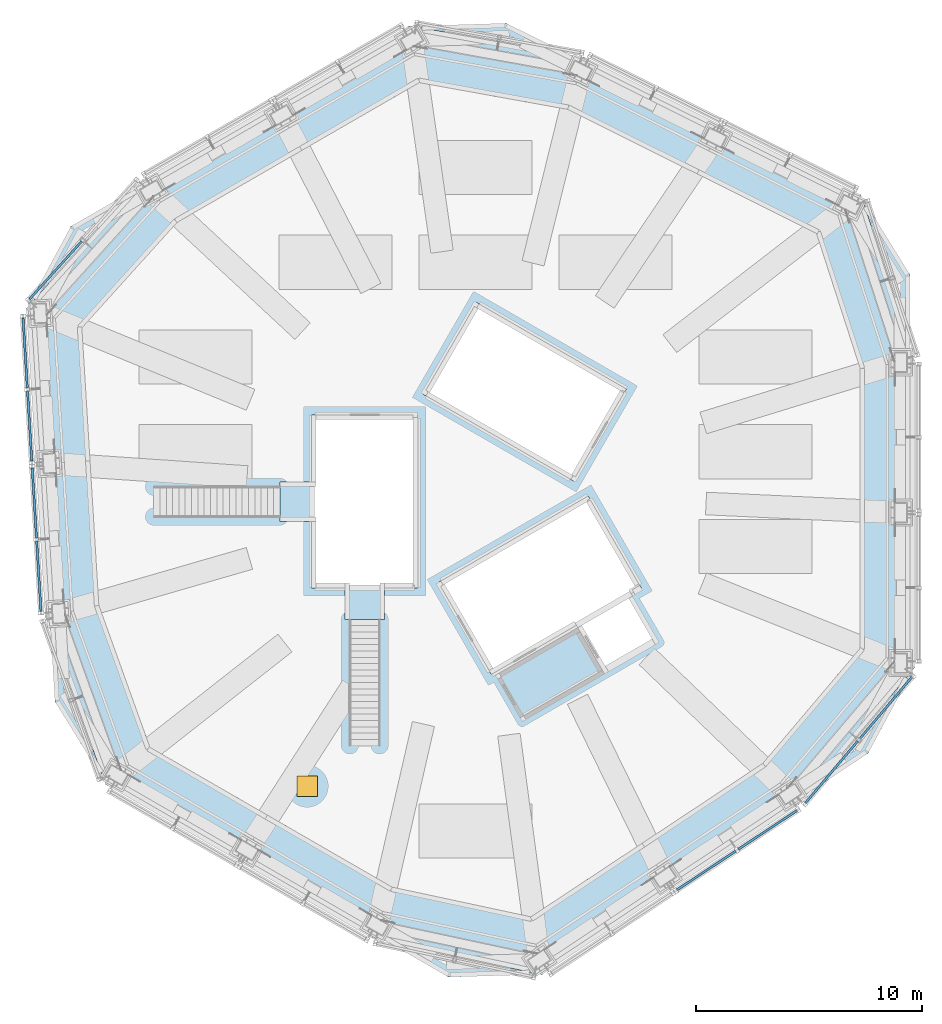
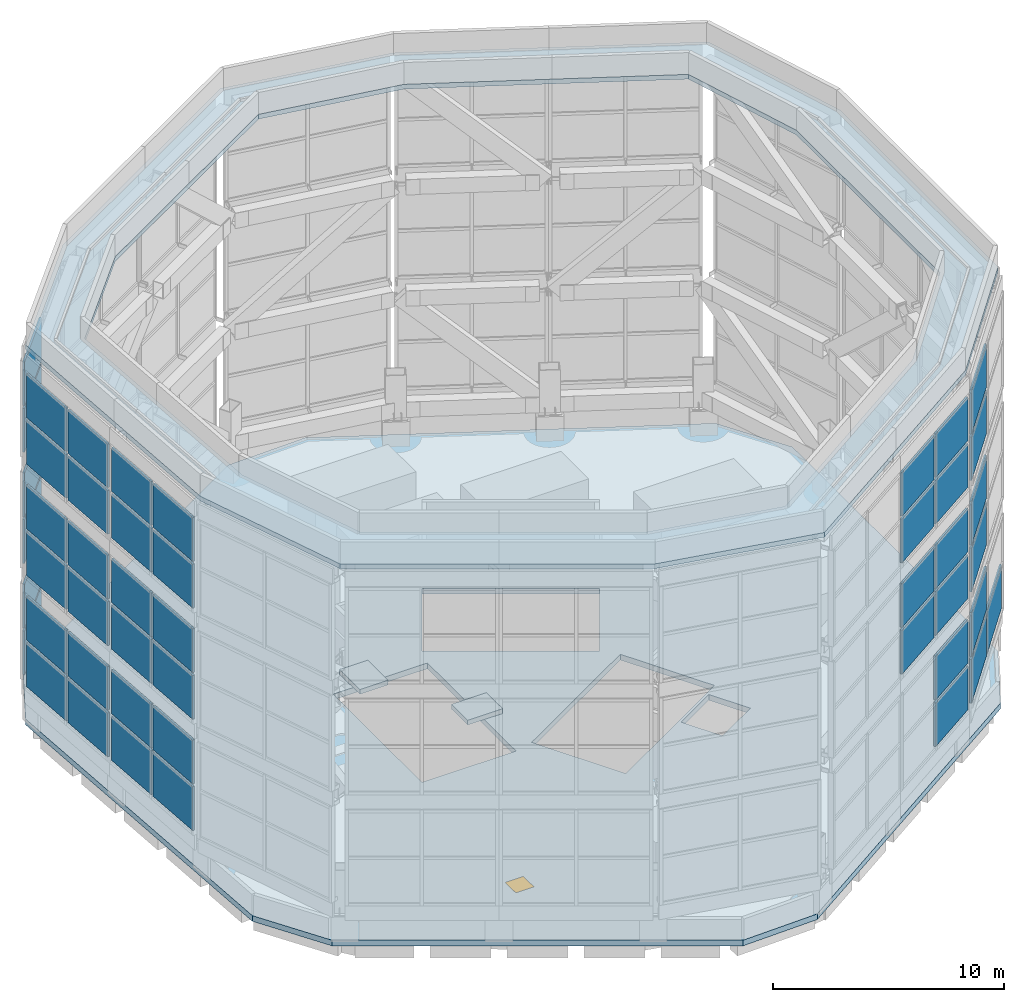
# One storey, part 18 of 46: 47 plates, 4 slabs, 1 window, 1 opening, 17 elements without a shape of their own.
"""IFC4 building model written with IfcOpenShell, lengths in metres."""

from ifc_helpers import new_model, si_unit, direction, frame, origin, origin_2d, place, context, subcontext, project, spatial, polyline, rectangle, outline, extrude, material, layer, layer_set, type_object, element, fill, aggregate, save


model = new_model("IFC4")

# Units and contexts
model_context = context("Model", 3, precision=1e-05, world=origin(), true_north=direction((0.0, 1.0)))
body_context = subcontext(model_context, "Body", "Model", "MODEL_VIEW")
ifc_project = project(units=[si_unit("LENGTHUNIT", "METRE"), si_unit("AREAUNIT", "SQUARE_METRE"), si_unit("VOLUMEUNIT", "CUBIC_METRE"), si_unit("PLANEANGLEUNIT", "RADIAN"), si_unit("MASSUNIT", "GRAM", prefix="KILO")], contexts=[model_context])

# Site, building, storey
site_placement = place(None, origin())
site = spatial("IfcSite", under=ifc_project, at=site_placement, CompositionType="ELEMENT")
building_placement = place(site_placement, origin())
building = spatial("IfcBuilding", under=site, at=building_placement, Name="Vanh Sen Convention Tower", CompositionType="ELEMENT")
storey_placement = place(building_placement, frame((0.0, 0.0, 305.0)))
storey = spatial("IfcBuildingStorey", under=building, at=storey_placement, Name="Roof level", CompositionType="ELEMENT", Elevation=305.0)

# Curtain wall, plates
ifc_material_1 = material(Name="Concrete C60/75", Category="concrete")
curtain_wall_type = type_object("IfcCurtainWallType", Name="Crown screen", PredefinedType="NOTDEFINED", material=ifc_material_1)
curtain_wall_1_placement = place(storey_placement, origin())
curtain_wall_1 = element("IfcCurtainWall", 1, at=curtain_wall_1_placement, inside=storey, type_object=curtain_wall_type, Name="CROWN SCREEN 09 tier 1", PredefinedType="NOTDEFINED")
ifc_layer_1 = layer(ifc_material_1, 0.10009765625)
ifc_layer_set_1 = layer_set([ifc_layer_1], Name="Concrete C60/75")
plate_type = type_object("IfcPlateType", Name="Crown screen precast panel 100", PredefinedType="CURTAIN_PANEL", material=ifc_layer_set_1)
plate_1_placement = place(storey_placement, frame((-18.642333984375, 9.855224609375, 2.294921875), z_axis=(0.0, 0.0, 1.0), x_axis=(-0.67014262942, -0.742232346529, 0.0)))
plate_1 = element("IfcPlate", 2, at=plate_1_placement, type_object=plate_type, Name="CROWN SCREEN6 panel 2.1", PredefinedType="CURTAIN_PANEL", context=body_context, shape_type="SweptSolid", body=[
    extrude(rectangle(XDim=3.442626953125, YDim=0.10009765625, at=origin_2d()), origin(), (0.0, 0.0, 1.0), 2.30908203125),
])
plate_2_placement = place(storey_placement, frame((-18.642333984375, 9.855224609375, 4.754150390625), z_axis=(0.0, 0.0, 1.0), x_axis=(-0.67014262942, -0.742232346529, 0.0)))
plate_2 = element("IfcPlate", 3, at=plate_2_placement, type_object=plate_type, Name="CROWN SCREEN6 panel 2.2", PredefinedType="CURTAIN_PANEL", context=body_context, shape_type="SweptSolid", body=[
    extrude(rectangle(XDim=3.442626953125, YDim=0.10009765625, at=origin_2d()), origin(), (0.0, 0.0, 1.0), 2.30908203125),
])
aggregate(curtain_wall_1, [plate_1, plate_2])

curtain_wall_2_placement = place(storey_placement, origin())
curtain_wall_2 = element("IfcCurtainWall", 4, at=curtain_wall_2_placement, inside=storey, type_object=curtain_wall_type, Name="CROWN SCREEN 09 tier 2", PredefinedType="NOTDEFINED")
plate_3_placement = place(storey_placement, frame((-18.642333984375, 9.855224609375, 8.163330078125), z_axis=(0.0, 0.0, 1.0), x_axis=(-0.67014262942, -0.742232346529, 0.0)))
plate_3 = element("IfcPlate", 5, at=plate_3_placement, type_object=plate_type, Name="CROWN SCREEN6 panel 2.1", PredefinedType="CURTAIN_PANEL", context=body_context, shape_type="SweptSolid", body=[
    extrude(rectangle(XDim=3.442626953125, YDim=0.10009765625, at=origin_2d()), origin(), (0.0, 0.0, 1.0), 2.30908203125),
])
plate_4_placement = place(storey_placement, frame((-18.642333984375, 9.855224609375, 10.62255859375), z_axis=(0.0, 0.0, 1.0), x_axis=(-0.67014262942, -0.742232346529, 0.0)))
plate_4 = element("IfcPlate", 6, at=plate_4_placement, type_object=plate_type, Name="CROWN SCREEN6 panel 2.2", PredefinedType="CURTAIN_PANEL", context=body_context, shape_type="SweptSolid", body=[
    extrude(rectangle(XDim=3.442626953125, YDim=0.10009765625, at=origin_2d()), origin(), (0.0, 0.0, 1.0), 2.30908203125),
])
aggregate(curtain_wall_2, [plate_3, plate_4])

curtain_wall_3_placement = place(storey_placement, origin())
curtain_wall_3 = element("IfcCurtainWall", 7, at=curtain_wall_3_placement, inside=storey, type_object=curtain_wall_type, Name="CROWN SCREEN 09 tier 3", PredefinedType="NOTDEFINED")
plate_5_placement = place(storey_placement, frame((-18.642333984375, 9.855224609375, 14.03173828125), z_axis=(0.0, 0.0, 1.0), x_axis=(-0.67014262942, -0.742232346529, 0.0)))
plate_5 = element("IfcPlate", 8, at=plate_5_placement, type_object=plate_type, Name="CROWN SCREEN6 panel 2.1", PredefinedType="CURTAIN_PANEL", context=body_context, shape_type="SweptSolid", body=[
    extrude(rectangle(XDim=3.442626953125, YDim=0.10009765625, at=origin_2d()), origin(), (0.0, 0.0, 1.0), 2.30908203125),
])
plate_6_placement = place(storey_placement, frame((-18.642333984375, 9.855224609375, 16.490966796875), z_axis=(0.0, 0.0, 1.0), x_axis=(-0.67014262942, -0.742232346529, 0.0)))
plate_6 = element("IfcPlate", 9, at=plate_6_placement, type_object=plate_type, Name="CROWN SCREEN6 panel 2.2", PredefinedType="CURTAIN_PANEL", context=body_context, shape_type="SweptSolid", body=[
    extrude(rectangle(XDim=3.442626953125, YDim=0.10009765625, at=origin_2d()), origin(), (0.0, 0.0, 1.0), 2.30908203125),
])
aggregate(curtain_wall_3, [plate_5, plate_6])

curtain_wall_4_placement = place(storey_placement, origin())
curtain_wall_4 = element("IfcCurtainWall", 10, at=curtain_wall_4_placement, inside=storey, type_object=curtain_wall_type, Name="CROWN SCREEN 10 tier 1", PredefinedType="NOTDEFINED")
plate_7_placement = place(storey_placement, frame((-19.99072265625, 6.199462890625, 2.294921875), z_axis=(0.0, 0.0, 1.0), x_axis=(0.061050562431, -0.998134674694, 0.0)))
plate_7 = element("IfcPlate", 11, at=plate_7_placement, type_object=plate_type, Name="CROWN SCREEN6 panel 1.1", PredefinedType="CURTAIN_PANEL", context=body_context, shape_type="SweptSolid", body=[
    extrude(rectangle(XDim=3.106689453125, YDim=0.10009765625, at=origin_2d()), origin(), (0.0, 0.0, 1.0), 2.30908203125),
])
plate_8_placement = place(storey_placement, frame((-19.99072265625, 6.199462890625, 4.754150390625), z_axis=(0.0, 0.0, 1.0), x_axis=(0.061050562431, -0.998134674694, 0.0)))
plate_8 = element("IfcPlate", 12, at=plate_8_placement, type_object=plate_type, Name="CROWN SCREEN6 panel 1.2", PredefinedType="CURTAIN_PANEL", context=body_context, shape_type="SweptSolid", body=[
    extrude(rectangle(XDim=3.106689453125, YDim=0.10009765625, at=origin_2d()), origin(), (0.0, 0.0, 1.0), 2.30908203125),
])
plate_9_placement = place(storey_placement, frame((-19.7919921875, 2.94873046875, 2.294921875), z_axis=(0.0, 0.0, 1.0), x_axis=(0.061050562431, -0.998134674694, 0.0)))
plate_9 = element("IfcPlate", 13, at=plate_9_placement, type_object=plate_type, Name="CROWN SCREEN6 panel 2.1", PredefinedType="CURTAIN_PANEL", context=body_context, shape_type="SweptSolid", body=[
    extrude(rectangle(XDim=3.106689453125, YDim=0.10009765625, at=origin_2d()), origin(), (0.0, 0.0, 1.0), 2.30908203125),
])
plate_10_placement = place(storey_placement, frame((-19.7919921875, 2.94873046875, 4.754150390625), z_axis=(0.0, 0.0, 1.0), x_axis=(0.061050562431, -0.998134674694, 0.0)))
plate_10 = element("IfcPlate", 14, at=plate_10_placement, type_object=plate_type, Name="CROWN SCREEN6 panel 2.2", PredefinedType="CURTAIN_PANEL", context=body_context, shape_type="SweptSolid", body=[
    extrude(rectangle(XDim=3.106689453125, YDim=0.10009765625, at=origin_2d()), origin(), (0.0, 0.0, 1.0), 2.30908203125),
])
aggregate(curtain_wall_4, [plate_7, plate_8, plate_9, plate_10])

curtain_wall_5_placement = place(storey_placement, origin())
curtain_wall_5 = element("IfcCurtainWall", 15, at=curtain_wall_5_placement, inside=storey, type_object=curtain_wall_type, Name="CROWN SCREEN 10 tier 2", PredefinedType="NOTDEFINED")
plate_11_placement = place(storey_placement, frame((-19.99072265625, 6.199462890625, 8.163330078125), z_axis=(0.0, 0.0, 1.0), x_axis=(0.061050562431, -0.998134674694, 0.0)))
plate_11 = element("IfcPlate", 16, at=plate_11_placement, type_object=plate_type, Name="CROWN SCREEN6 panel 1.1", PredefinedType="CURTAIN_PANEL", context=body_context, shape_type="SweptSolid", body=[
    extrude(rectangle(XDim=3.106689453125, YDim=0.10009765625, at=origin_2d()), origin(), (0.0, 0.0, 1.0), 2.30908203125),
])
plate_12_placement = place(storey_placement, frame((-19.99072265625, 6.199462890625, 10.62255859375), z_axis=(0.0, 0.0, 1.0), x_axis=(0.061050562431, -0.998134674694, 0.0)))
plate_12 = element("IfcPlate", 17, at=plate_12_placement, type_object=plate_type, Name="CROWN SCREEN6 panel 1.2", PredefinedType="CURTAIN_PANEL", context=body_context, shape_type="SweptSolid", body=[
    extrude(rectangle(XDim=3.106689453125, YDim=0.10009765625, at=origin_2d()), origin(), (0.0, 0.0, 1.0), 2.30908203125),
])
plate_13_placement = place(storey_placement, frame((-19.7919921875, 2.94873046875, 8.163330078125), z_axis=(0.0, 0.0, 1.0), x_axis=(0.061050562431, -0.998134674694, 0.0)))
plate_13 = element("IfcPlate", 18, at=plate_13_placement, type_object=plate_type, Name="CROWN SCREEN6 panel 2.1", PredefinedType="CURTAIN_PANEL", context=body_context, shape_type="SweptSolid", body=[
    extrude(rectangle(XDim=3.106689453125, YDim=0.10009765625, at=origin_2d()), origin(), (0.0, 0.0, 1.0), 2.30908203125),
])
plate_14_placement = place(storey_placement, frame((-19.7919921875, 2.94873046875, 10.62255859375), z_axis=(0.0, 0.0, 1.0), x_axis=(0.061050562431, -0.998134674694, 0.0)))
plate_14 = element("IfcPlate", 19, at=plate_14_placement, type_object=plate_type, Name="CROWN SCREEN6 panel 2.2", PredefinedType="CURTAIN_PANEL", context=body_context, shape_type="SweptSolid", body=[
    extrude(rectangle(XDim=3.106689453125, YDim=0.10009765625, at=origin_2d()), origin(), (0.0, 0.0, 1.0), 2.30908203125),
])
aggregate(curtain_wall_5, [plate_11, plate_12, plate_13, plate_14])

curtain_wall_6_placement = place(storey_placement, origin())
curtain_wall_6 = element("IfcCurtainWall", 20, at=curtain_wall_6_placement, inside=storey, type_object=curtain_wall_type, Name="CROWN SCREEN 10 tier 3", PredefinedType="NOTDEFINED")
plate_15_placement = place(storey_placement, frame((-19.99072265625, 6.199462890625, 14.03173828125), z_axis=(0.0, 0.0, 1.0), x_axis=(0.061050562431, -0.998134674694, 0.0)))
plate_15 = element("IfcPlate", 21, at=plate_15_placement, type_object=plate_type, Name="CROWN SCREEN6 panel 1.1", PredefinedType="CURTAIN_PANEL", context=body_context, shape_type="SweptSolid", body=[
    extrude(rectangle(XDim=3.106689453125, YDim=0.10009765625, at=origin_2d()), origin(), (0.0, 0.0, 1.0), 2.30908203125),
])
plate_16_placement = place(storey_placement, frame((-19.99072265625, 6.199462890625, 16.490966796875), z_axis=(0.0, 0.0, 1.0), x_axis=(0.061050562431, -0.998134674694, 0.0)))
plate_16 = element("IfcPlate", 22, at=plate_16_placement, type_object=plate_type, Name="CROWN SCREEN6 panel 1.2", PredefinedType="CURTAIN_PANEL", context=body_context, shape_type="SweptSolid", body=[
    extrude(rectangle(XDim=3.106689453125, YDim=0.10009765625, at=origin_2d()), origin(), (0.0, 0.0, 1.0), 2.30908203125),
])
plate_17_placement = place(storey_placement, frame((-19.7919921875, 2.94873046875, 14.03173828125), z_axis=(0.0, 0.0, 1.0), x_axis=(0.061050562431, -0.998134674694, 0.0)))
plate_17 = element("IfcPlate", 23, at=plate_17_placement, type_object=plate_type, Name="CROWN SCREEN6 panel 2.1", PredefinedType="CURTAIN_PANEL", context=body_context, shape_type="SweptSolid", body=[
    extrude(rectangle(XDim=3.106689453125, YDim=0.10009765625, at=origin_2d()), origin(), (0.0, 0.0, 1.0), 2.30908203125),
])
plate_18_placement = place(storey_placement, frame((-19.7919921875, 2.94873046875, 16.490966796875), z_axis=(0.0, 0.0, 1.0), x_axis=(0.061050562431, -0.998134674694, 0.0)))
plate_18 = element("IfcPlate", 24, at=plate_18_placement, type_object=plate_type, Name="CROWN SCREEN6 panel 2.2", PredefinedType="CURTAIN_PANEL", context=body_context, shape_type="SweptSolid", body=[
    extrude(rectangle(XDim=3.106689453125, YDim=0.10009765625, at=origin_2d()), origin(), (0.0, 0.0, 1.0), 2.30908203125),
])
aggregate(curtain_wall_6, [plate_15, plate_16, plate_17, plate_18])

curtain_wall_7_placement = place(storey_placement, origin())
curtain_wall_7 = element("IfcCurtainWall", 25, at=curtain_wall_7_placement, inside=storey, type_object=curtain_wall_type, Name="CROWN SCREEN 11 tier 1", PredefinedType="NOTDEFINED")
plate_19_placement = place(storey_placement, frame((-19.583984375, -0.451416015625, 2.294921875), z_axis=(0.0, 0.0, 1.0), x_axis=(0.06105147695, -0.998134618758, 0.0)))
plate_19 = element("IfcPlate", 26, at=plate_19_placement, type_object=plate_type, Name="CROWN SCREEN6 panel 1.1", PredefinedType="CURTAIN_PANEL", context=body_context, shape_type="SweptSolid", body=[
    extrude(rectangle(XDim=3.106689453125, YDim=0.10009765625, at=origin_2d()), origin(), (0.0, 0.0, 1.0), 2.30908203125),
])
plate_20_placement = place(storey_placement, frame((-19.583984375, -0.451416015625, 4.754150390625), z_axis=(0.0, 0.0, 1.0), x_axis=(0.06105147695, -0.998134618758, 0.0)))
plate_20 = element("IfcPlate", 27, at=plate_20_placement, type_object=plate_type, Name="CROWN SCREEN6 panel 1.2", PredefinedType="CURTAIN_PANEL", context=body_context, shape_type="SweptSolid", body=[
    extrude(rectangle(XDim=3.106689453125, YDim=0.10009765625, at=origin_2d()), origin(), (0.0, 0.0, 1.0), 2.30908203125),
])
plate_21_placement = place(storey_placement, frame((-19.38525390625, -3.7021484375, 2.294921875), z_axis=(0.0, 0.0, 1.0), x_axis=(0.06105147695, -0.998134618758, 0.0)))
plate_21 = element("IfcPlate", 28, at=plate_21_placement, type_object=plate_type, Name="CROWN SCREEN6 panel 2.1", PredefinedType="CURTAIN_PANEL", context=body_context, shape_type="SweptSolid", body=[
    extrude(rectangle(XDim=3.106689453125, YDim=0.10009765625, at=origin_2d()), origin(), (0.0, 0.0, 1.0), 2.30908203125),
])
plate_22_placement = place(storey_placement, frame((-19.38525390625, -3.7021484375, 4.754150390625), z_axis=(0.0, 0.0, 1.0), x_axis=(0.06105147695, -0.998134618758, 0.0)))
plate_22 = element("IfcPlate", 29, at=plate_22_placement, type_object=plate_type, Name="CROWN SCREEN6 panel 2.2", PredefinedType="CURTAIN_PANEL", context=body_context, shape_type="SweptSolid", body=[
    extrude(rectangle(XDim=3.106689453125, YDim=0.10009765625, at=origin_2d()), origin(), (0.0, 0.0, 1.0), 2.30908203125),
])
aggregate(curtain_wall_7, [plate_19, plate_20, plate_21, plate_22])

curtain_wall_8_placement = place(storey_placement, origin())
curtain_wall_8 = element("IfcCurtainWall", 30, at=curtain_wall_8_placement, inside=storey, type_object=curtain_wall_type, Name="CROWN SCREEN 11 tier 2", PredefinedType="NOTDEFINED")
plate_23_placement = place(storey_placement, frame((-19.583984375, -0.451416015625, 8.163330078125), z_axis=(0.0, 0.0, 1.0), x_axis=(0.06105147695, -0.998134618758, 0.0)))
plate_23 = element("IfcPlate", 31, at=plate_23_placement, type_object=plate_type, Name="CROWN SCREEN6 panel 1.1", PredefinedType="CURTAIN_PANEL", context=body_context, shape_type="SweptSolid", body=[
    extrude(rectangle(XDim=3.106689453125, YDim=0.10009765625, at=origin_2d()), origin(), (0.0, 0.0, 1.0), 2.30908203125),
])
plate_24_placement = place(storey_placement, frame((-19.583984375, -0.451416015625, 10.62255859375), z_axis=(0.0, 0.0, 1.0), x_axis=(0.06105147695, -0.998134618758, 0.0)))
plate_24 = element("IfcPlate", 32, at=plate_24_placement, type_object=plate_type, Name="CROWN SCREEN6 panel 1.2", PredefinedType="CURTAIN_PANEL", context=body_context, shape_type="SweptSolid", body=[
    extrude(rectangle(XDim=3.106689453125, YDim=0.10009765625, at=origin_2d()), origin(), (0.0, 0.0, 1.0), 2.30908203125),
])
plate_25_placement = place(storey_placement, frame((-19.38525390625, -3.7021484375, 8.163330078125), z_axis=(0.0, 0.0, 1.0), x_axis=(0.06105147695, -0.998134618758, 0.0)))
plate_25 = element("IfcPlate", 33, at=plate_25_placement, type_object=plate_type, Name="CROWN SCREEN6 panel 2.1", PredefinedType="CURTAIN_PANEL", context=body_context, shape_type="SweptSolid", body=[
    extrude(rectangle(XDim=3.106689453125, YDim=0.10009765625, at=origin_2d()), origin(), (0.0, 0.0, 1.0), 2.30908203125),
])
plate_26_placement = place(storey_placement, frame((-19.38525390625, -3.7021484375, 10.62255859375), z_axis=(0.0, 0.0, 1.0), x_axis=(0.06105147695, -0.998134618758, 0.0)))
plate_26 = element("IfcPlate", 34, at=plate_26_placement, type_object=plate_type, Name="CROWN SCREEN6 panel 2.2", PredefinedType="CURTAIN_PANEL", context=body_context, shape_type="SweptSolid", body=[
    extrude(rectangle(XDim=3.106689453125, YDim=0.10009765625, at=origin_2d()), origin(), (0.0, 0.0, 1.0), 2.30908203125),
])
aggregate(curtain_wall_8, [plate_23, plate_24, plate_25, plate_26])

curtain_wall_9_placement = place(storey_placement, origin())
curtain_wall_9 = element("IfcCurtainWall", 35, at=curtain_wall_9_placement, inside=storey, type_object=curtain_wall_type, Name="CROWN SCREEN 11 tier 3", PredefinedType="NOTDEFINED")
plate_27_placement = place(storey_placement, frame((-19.583984375, -0.451416015625, 14.03173828125), z_axis=(0.0, 0.0, 1.0), x_axis=(0.06105147695, -0.998134618758, 0.0)))
plate_27 = element("IfcPlate", 36, at=plate_27_placement, type_object=plate_type, Name="CROWN SCREEN6 panel 1.1", PredefinedType="CURTAIN_PANEL", context=body_context, shape_type="SweptSolid", body=[
    extrude(rectangle(XDim=3.106689453125, YDim=0.10009765625, at=origin_2d()), origin(), (0.0, 0.0, 1.0), 2.30908203125),
])
plate_28_placement = place(storey_placement, frame((-19.583984375, -0.451416015625, 16.490966796875), z_axis=(0.0, 0.0, 1.0), x_axis=(0.06105147695, -0.998134618758, 0.0)))
plate_28 = element("IfcPlate", 37, at=plate_28_placement, type_object=plate_type, Name="CROWN SCREEN6 panel 1.2", PredefinedType="CURTAIN_PANEL", context=body_context, shape_type="SweptSolid", body=[
    extrude(rectangle(XDim=3.106689453125, YDim=0.10009765625, at=origin_2d()), origin(), (0.0, 0.0, 1.0), 2.30908203125),
])
plate_29_placement = place(storey_placement, frame((-19.38525390625, -3.7021484375, 14.03173828125), z_axis=(0.0, 0.0, 1.0), x_axis=(0.06105147695, -0.998134618758, 0.0)))
plate_29 = element("IfcPlate", 38, at=plate_29_placement, type_object=plate_type, Name="CROWN SCREEN6 panel 2.1", PredefinedType="CURTAIN_PANEL", context=body_context, shape_type="SweptSolid", body=[
    extrude(rectangle(XDim=3.106689453125, YDim=0.10009765625, at=origin_2d()), origin(), (0.0, 0.0, 1.0), 2.30908203125),
])
plate_30_placement = place(storey_placement, frame((-19.38525390625, -3.7021484375, 16.490966796875), z_axis=(0.0, 0.0, 1.0), x_axis=(0.06105147695, -0.998134618758, 0.0)))
plate_30 = element("IfcPlate", 39, at=plate_30_placement, type_object=plate_type, Name="CROWN SCREEN6 panel 2.2", PredefinedType="CURTAIN_PANEL", context=body_context, shape_type="SweptSolid", body=[
    extrude(rectangle(XDim=3.106689453125, YDim=0.10009765625, at=origin_2d()), origin(), (0.0, 0.0, 1.0), 2.30908203125),
])
aggregate(curtain_wall_9, [plate_27, plate_28, plate_29, plate_30])

curtain_wall_10_placement = place(storey_placement, origin())
curtain_wall_10 = element("IfcCurtainWall", 40, at=curtain_wall_10_placement, inside=storey, type_object=curtain_wall_type, Name="CROWN SCREEN 17 tier 1", PredefinedType="NOTDEFINED")
plate_31_placement = place(storey_placement, frame((12.898681640625, -14.93701171875, 2.294921875), z_axis=(0.0, 0.0, 1.0), x_axis=(0.833885886455, 0.551936888033, 0.0)))
plate_31 = element("IfcPlate", 41, at=plate_31_placement, type_object=plate_type, Name="CROWN SCREEN6 panel 2.1", PredefinedType="CURTAIN_PANEL", context=body_context, shape_type="SweptSolid", body=[
    extrude(rectangle(XDim=3.106689453125, YDim=0.10009765625, at=origin_2d()), origin(), (0.0, 0.0, 1.0), 2.30908203125),
])
plate_32_placement = place(storey_placement, frame((12.898681640625, -14.93701171875, 4.754150390625), z_axis=(0.0, 0.0, 1.0), x_axis=(0.833885886455, 0.551936888033, 0.0)))
plate_32 = element("IfcPlate", 42, at=plate_32_placement, type_object=plate_type, Name="CROWN SCREEN6 panel 2.2", PredefinedType="CURTAIN_PANEL", context=body_context, shape_type="SweptSolid", body=[
    extrude(rectangle(XDim=3.106689453125, YDim=0.10009765625, at=origin_2d()), origin(), (0.0, 0.0, 1.0), 2.30908203125),
])
aggregate(curtain_wall_10, [plate_31, plate_32])

curtain_wall_11_placement = place(storey_placement, origin())
curtain_wall_11 = element("IfcCurtainWall", 43, at=curtain_wall_11_placement, inside=storey, type_object=curtain_wall_type, Name="CROWN SCREEN 17 tier 2", PredefinedType="NOTDEFINED")
plate_33_placement = place(storey_placement, frame((10.18310546875, -16.734375, 8.163330078125), z_axis=(0.0, 0.0, 1.0), x_axis=(0.833885886455, 0.551936888033, 0.0)))
plate_33 = element("IfcPlate", 44, at=plate_33_placement, type_object=plate_type, Name="CROWN SCREEN6 panel 1.1", PredefinedType="CURTAIN_PANEL", context=body_context, shape_type="SweptSolid", body=[
    extrude(rectangle(XDim=3.106689453125, YDim=0.10009765625, at=origin_2d()), origin(), (0.0, 0.0, 1.0), 2.30908203125),
])
plate_34_placement = place(storey_placement, frame((10.18310546875, -16.734375, 10.62255859375), z_axis=(0.0, 0.0, 1.0), x_axis=(0.833885886455, 0.551936888033, 0.0)))
plate_34 = element("IfcPlate", 45, at=plate_34_placement, type_object=plate_type, Name="CROWN SCREEN6 panel 1.2", PredefinedType="CURTAIN_PANEL", context=body_context, shape_type="SweptSolid", body=[
    extrude(rectangle(XDim=3.106689453125, YDim=0.10009765625, at=origin_2d()), origin(), (0.0, 0.0, 1.0), 2.30908203125),
])
plate_35_placement = place(storey_placement, frame((12.898681640625, -14.93701171875, 8.163330078125), z_axis=(0.0, 0.0, 1.0), x_axis=(0.833885886455, 0.551936888033, 0.0)))
plate_35 = element("IfcPlate", 46, at=plate_35_placement, type_object=plate_type, Name="CROWN SCREEN6 panel 2.1", PredefinedType="CURTAIN_PANEL", context=body_context, shape_type="SweptSolid", body=[
    extrude(rectangle(XDim=3.106689453125, YDim=0.10009765625, at=origin_2d()), origin(), (0.0, 0.0, 1.0), 2.30908203125),
])
plate_36_placement = place(storey_placement, frame((12.898681640625, -14.93701171875, 10.62255859375), z_axis=(0.0, 0.0, 1.0), x_axis=(0.833885886455, 0.551936888033, 0.0)))
plate_36 = element("IfcPlate", 47, at=plate_36_placement, type_object=plate_type, Name="CROWN SCREEN6 panel 2.2", PredefinedType="CURTAIN_PANEL", context=body_context, shape_type="SweptSolid", body=[
    extrude(rectangle(XDim=3.106689453125, YDim=0.10009765625, at=origin_2d()), origin(), (0.0, 0.0, 1.0), 2.30908203125),
])
aggregate(curtain_wall_11, [plate_33, plate_34, plate_35, plate_36])

curtain_wall_12_placement = place(storey_placement, origin())
curtain_wall_12 = element("IfcCurtainWall", 48, at=curtain_wall_12_placement, inside=storey, type_object=curtain_wall_type, Name="CROWN SCREEN 17 tier 3", PredefinedType="NOTDEFINED")
plate_37_placement = place(storey_placement, frame((10.18310546875, -16.734375, 14.03173828125), z_axis=(0.0, 0.0, 1.0), x_axis=(0.833885886455, 0.551936888033, 0.0)))
plate_37 = element("IfcPlate", 49, at=plate_37_placement, type_object=plate_type, Name="CROWN SCREEN6 panel 1.1", PredefinedType="CURTAIN_PANEL", context=body_context, shape_type="SweptSolid", body=[
    extrude(rectangle(XDim=3.106689453125, YDim=0.10009765625, at=origin_2d()), origin(), (0.0, 0.0, 1.0), 2.30908203125),
])
plate_38_placement = place(storey_placement, frame((10.18310546875, -16.734375, 16.490966796875), z_axis=(0.0, 0.0, 1.0), x_axis=(0.833885886455, 0.551936888033, 0.0)))
plate_38 = element("IfcPlate", 50, at=plate_38_placement, type_object=plate_type, Name="CROWN SCREEN6 panel 1.2", PredefinedType="CURTAIN_PANEL", context=body_context, shape_type="SweptSolid", body=[
    extrude(rectangle(XDim=3.106689453125, YDim=0.10009765625, at=origin_2d()), origin(), (0.0, 0.0, 1.0), 2.30908203125),
])
plate_39_placement = place(storey_placement, frame((12.898681640625, -14.93701171875, 14.03173828125), z_axis=(0.0, 0.0, 1.0), x_axis=(0.833885886455, 0.551936888033, 0.0)))
plate_39 = element("IfcPlate", 51, at=plate_39_placement, type_object=plate_type, Name="CROWN SCREEN6 panel 2.1", PredefinedType="CURTAIN_PANEL", context=body_context, shape_type="SweptSolid", body=[
    extrude(rectangle(XDim=3.106689453125, YDim=0.10009765625, at=origin_2d()), origin(), (0.0, 0.0, 1.0), 2.30908203125),
])
plate_40_placement = place(storey_placement, frame((12.898681640625, -14.93701171875, 16.490966796875), z_axis=(0.0, 0.0, 1.0), x_axis=(0.833885886455, 0.551936888033, 0.0)))
plate_40 = element("IfcPlate", 52, at=plate_40_placement, type_object=plate_type, Name="CROWN SCREEN6 panel 2.2", PredefinedType="CURTAIN_PANEL", context=body_context, shape_type="SweptSolid", body=[
    extrude(rectangle(XDim=3.106689453125, YDim=0.10009765625, at=origin_2d()), origin(), (0.0, 0.0, 1.0), 2.30908203125),
])
aggregate(curtain_wall_12, [plate_37, plate_38, plate_39, plate_40])

curtain_wall_13_placement = place(storey_placement, origin())
curtain_wall_13 = element("IfcCurtainWall", 53, at=curtain_wall_13_placement, inside=storey, type_object=curtain_wall_type, Name="CROWN SCREEN 18 tier 1", PredefinedType="NOTDEFINED")
plate_41_placement = place(storey_placement, frame((15.734375, -12.37158203125, 2.294921875), z_axis=(0.0, 0.0, 1.0), x_axis=(0.645766484343, 0.763534968223, 0.0)))
plate_41 = element("IfcPlate", 54, at=plate_41_placement, type_object=plate_type, Name="CROWN SCREEN6 panel 1.1", PredefinedType="CURTAIN_PANEL", context=body_context, shape_type="SweptSolid", body=[
    extrude(rectangle(XDim=3.57568359375, YDim=0.10009765625, at=origin_2d()), origin(), (0.0, 0.0, 1.0), 2.30908203125),
])
plate_42_placement = place(storey_placement, frame((15.734375, -12.37158203125, 4.754150390625), z_axis=(0.0, 0.0, 1.0), x_axis=(0.645766484343, 0.763534968223, 0.0)))
plate_42 = element("IfcPlate", 55, at=plate_42_placement, type_object=plate_type, Name="CROWN SCREEN6 panel 1.2", PredefinedType="CURTAIN_PANEL", context=body_context, shape_type="SweptSolid", body=[
    extrude(rectangle(XDim=3.57568359375, YDim=0.10009765625, at=origin_2d()), origin(), (0.0, 0.0, 1.0), 2.30908203125),
])
plate_43_placement = place(storey_placement, frame((18.140380859375, -9.52685546875, 2.294921875), z_axis=(0.0, 0.0, 1.0), x_axis=(0.645766484343, 0.763534968223, 0.0)))
plate_43 = element("IfcPlate", 56, at=plate_43_placement, type_object=plate_type, Name="CROWN SCREEN6 panel 2.1", PredefinedType="CURTAIN_PANEL", context=body_context, shape_type="SweptSolid", body=[
    extrude(rectangle(XDim=3.57568359375, YDim=0.10009765625, at=origin_2d()), origin(), (0.0, 0.0, 1.0), 2.30908203125),
])
aggregate(curtain_wall_13, [plate_41, plate_42, plate_43])

curtain_wall_14_placement = place(storey_placement, origin())
curtain_wall_14 = element("IfcCurtainWall", 57, at=curtain_wall_14_placement, inside=storey, type_object=curtain_wall_type, Name="CROWN SCREEN 18 tier 2", PredefinedType="NOTDEFINED")
plate_44_placement = place(storey_placement, frame((15.734375, -12.37158203125, 8.163330078125), z_axis=(0.0, 0.0, 1.0), x_axis=(0.645766484343, 0.763534968223, 0.0)))
plate_44 = element("IfcPlate", 58, at=plate_44_placement, type_object=plate_type, Name="CROWN SCREEN6 panel 1.1", PredefinedType="CURTAIN_PANEL", context=body_context, shape_type="SweptSolid", body=[
    extrude(rectangle(XDim=3.57568359375, YDim=0.10009765625, at=origin_2d()), origin(), (0.0, 0.0, 1.0), 2.30908203125),
])
plate_45_placement = place(storey_placement, frame((15.734375, -12.37158203125, 10.62255859375), z_axis=(0.0, 0.0, 1.0), x_axis=(0.645766484343, 0.763534968223, 0.0)))
plate_45 = element("IfcPlate", 59, at=plate_45_placement, type_object=plate_type, Name="CROWN SCREEN6 panel 1.2", PredefinedType="CURTAIN_PANEL", context=body_context, shape_type="SweptSolid", body=[
    extrude(rectangle(XDim=3.57568359375, YDim=0.10009765625, at=origin_2d()), origin(), (0.0, 0.0, 1.0), 2.30908203125),
])
aggregate(curtain_wall_14, [plate_44, plate_45])

curtain_wall_15_placement = place(storey_placement, origin())
curtain_wall_15 = element("IfcCurtainWall", 60, at=curtain_wall_15_placement, inside=storey, type_object=curtain_wall_type, Name="CROWN SCREEN 18 tier 3", PredefinedType="NOTDEFINED")
plate_46_placement = place(storey_placement, frame((15.734375, -12.37158203125, 14.03173828125), z_axis=(0.0, 0.0, 1.0), x_axis=(0.645766484343, 0.763534968223, 0.0)))
plate_46 = element("IfcPlate", 61, at=plate_46_placement, type_object=plate_type, Name="CROWN SCREEN6 panel 1.1", PredefinedType="CURTAIN_PANEL", context=body_context, shape_type="SweptSolid", body=[
    extrude(rectangle(XDim=3.57568359375, YDim=0.10009765625, at=origin_2d()), origin(), (0.0, 0.0, 1.0), 2.30908203125),
])
plate_47_placement = place(storey_placement, frame((15.734375, -12.37158203125, 16.490966796875), z_axis=(0.0, 0.0, 1.0), x_axis=(0.645766484343, 0.763534968223, 0.0)))
plate_47 = element("IfcPlate", 62, at=plate_47_placement, type_object=plate_type, Name="CROWN SCREEN6 panel 1.2", PredefinedType="CURTAIN_PANEL", context=body_context, shape_type="SweptSolid", body=[
    extrude(rectangle(XDim=3.57568359375, YDim=0.10009765625, at=origin_2d()), origin(), (0.0, 0.0, 1.0), 2.30908203125),
])
aggregate(curtain_wall_15, [plate_46, plate_47])

# Slab
ifc_material_2 = material(Name="Concrete C40/50", Category="concrete")
ifc_layer_2 = layer(ifc_material_2, 0.25)
ifc_layer_set_2 = layer_set([ifc_layer_2], Name="Concrete C40/50")
slab_type_1 = type_object("IfcSlabType", Name="Deck slab 250 REI 120", PredefinedType="FLOOR", material=ifc_layer_set_2)
slab_1_placement = place(storey_placement, frame((0.0, 0.0, 19.75)))
element("IfcSlab", 63, at=slab_1_placement, inside=storey, type_object=slab_type_1, Name="Crown ring deck slab", PredefinedType="FLOOR", context=body_context, shape_type="SweptSolid", body=[
    extrude(outline(polyline([(19.39990234375, -7.766357421875), (19.39990234375, 5.87451171875), (17.035888671875, 13.18359375), (10.84716796875, 16.269287109375), (4.80712890625, 19.28076171875), (-2.97412109375, 20.68408203125), (-8.934814453125, 17.24267578125), (-14.787353515625, 13.863525390625), (-19.935546875, 8.161865234375), (-19.51318359375, 1.25927734375), (-19.101318359375, -5.477294921875), (-16.426025390625, -12.917724609375), (-10.465087890625, -16.359130859375), (-4.612548828125, -19.738037109375), (2.8994140625, -21.345458984375), (8.666015625, -17.528564453125), (14.2939453125, -13.8037109375), (19.39990234375, -7.766357421875)]), holes=[polyline([(17.0, 5.49609375), (15.062744140625, 11.48583984375), (9.7763671875, 14.12158203125), (4.04345703125, 16.979736328125), (-2.53515625, 18.166259765625), (-7.73486328125, 15.164306640625), (-13.259765625, 11.974365234375), (-17.478515625, 7.302001953125), (-17.117919921875, 1.40576171875), (-16.726806640625, -4.988037109375), (-14.46484375, -11.278564453125), (-9.26513671875, -14.28076171875), (-3.740234375, -17.470458984375), (2.41552734375, -18.78759765625), (7.34130859375, -15.52734375), (12.68310546875, -11.99169921875), (17.0, -6.8876953125), (17.0, 5.49609375)])]), origin(), (0.0, 0.0, 1.0), 0.25),
])

# Slab, opening, window
ifc_layer_3 = layer(ifc_material_2, 0.300048828125)
ifc_layer_set_3 = layer_set([ifc_layer_3], Name="Concrete C40/50")
slab_type_2 = type_object("IfcSlabType", Name="Roof slab 300 REI 120", PredefinedType="ROOF", material=ifc_layer_set_3)
slab_2_placement = place(storey_placement, frame((0.0, 0.0, -0.300048828125)))
slab_2 = element("IfcSlab", 64, at=slab_2_placement, inside=storey, type_object=slab_type_2, Name="Roof slab", PredefinedType="ROOF", context=body_context, shape_type="SweptSolid", body=[
    extrude(outline(polyline([(-1.23291015625, -21.45849609375), (2.54052734375, -21.34326171875), (17.34912109375, -11.541748046875), (19.199951171875, -8.0966796875), (19.199951171875, 9.66162109375), (17.21337890625, 12.871826171875), (1.32080078125, 20.79541015625), (-2.587890625, 20.676025390625), (-17.967041015625, 11.796875), (-19.75390625, 8.471435546875), (-18.669921875, -9.25390625), (-16.612060546875, -12.579345703125), (-1.23291015625, -21.45849609375)]), holes=[polyline([(4.287841796875, 0.526611328125), (6.6376953125, 4.596923828125), (0.00390625, 8.427001953125), (-2.345947265625, 4.356689453125), (4.287841796875, 0.526611328125)]), polyline([(-2.60009765625, -4.2099609375), (-2.60009765625, 3.449951171875), (-7.300048828125, 3.449951171875), (-7.300048828125, -4.2099609375), (-2.60009765625, -4.2099609375)]), polyline([(7.2958984375, -4.217041015625), (4.946044921875, -0.146728515625), (-1.687744140625, -3.976806640625), (0.662109375, -8.047119140625), (7.2958984375, -4.217041015625)]), polyline([(5.70263671875, -7.67724609375), (7.781005859375, -6.477294921875), (6.74365234375, -4.68017578125), (4.6650390625, -5.880126953125), (5.70263671875, -7.67724609375)])]), origin(), (0.0, 0.0, 1.0), 0.300048828125),
])
opening_placement = place(slab_2_placement, frame((-7.5, -13.0, -0.010009765625)))
opening = element("IfcOpeningElement", 65, at=opening_placement, cuts=slab_2, Name="Opening RH1", PredefinedType="OPENING", context=body_context, shape_type="SweptSolid", body=[
    extrude(rectangle(XDim=0.89990234375, YDim=0.89990234375, at=origin_2d()), origin(), (0.0, 0.0, 1.0), 0.320068359375),
])
ifc_material_3 = material(Name="Steel S355", Category="steel")
window_type = type_object("IfcWindowType", Name="Roof access hatch 900 x 900", PartitioningType="SINGLE_PANEL", PredefinedType="SKYLIGHT", material=ifc_material_3)
window_placement = place(opening_placement, frame((0.0, 0.0, 0.260009765625)))
window = element("IfcWindow", 66, at=window_placement, inside=storey, type_object=window_type, Name="Roof access hatch RH1", OverallHeight=0.89990234375, OverallWidth=0.89990234375, PartitioningType="SINGLE_PANEL", PredefinedType="SKYLIGHT", context=body_context, shape_type="SweptSolid", body=[
    extrude(rectangle(XDim=0.89990234375, YDim=0.89990234375, at=origin_2d()), origin(), (0.0, 0.0, 1.0), 0.050048828125),
])
fill(opening, window)

# Stair, slab
ifc_material_4 = material(Name="Steel S355JR", Category="steel")
stair_type_1 = type_object("IfcStairType", Name="Roof access stair RS1 21 risers at 171.4", PredefinedType="STRAIGHT_RUN_STAIR", material=ifc_material_4)
stair_1_placement = place(storey_placement, origin())
stair_1 = element("IfcStair", 67, at=stair_1_placement, inside=storey, type_object=stair_type_1, Name="Roof access stair RS1", PredefinedType="STRAIGHT_RUN_STAIR")
ifc_layer_4 = layer(ifc_material_4, 0.25)
ifc_layer_set_4 = layer_set([ifc_layer_4], Name="Steel S355JR")
slab_type_3 = type_object("IfcSlabType", Name="Steel stair landing 250", PredefinedType="LANDING", material=ifc_layer_set_4)
slab_3_placement = place(storey_placement, frame((0.0, 0.0, 3.35009765625)))
slab_3 = element("IfcSlab", 68, at=slab_3_placement, type_object=slab_type_3, Name="RS1 landing 1", PredefinedType="LANDING", context=body_context, shape_type="SweptSolid", body=[
    extrude(outline(polyline([(-8.70068359375, -1.27490234375), (-7.300048828125, -1.27490234375), (-7.300048828125, 0.47509765625), (-8.70068359375, 0.47509765625), (-8.70068359375, -1.27490234375)])), origin(), (0.0, 0.0, 1.0), 0.25),
])
aggregate(stair_1, [slab_3])

stair_type_2 = type_object("IfcStairType", Name="Roof access stair RS2 21 risers at 171.4", PredefinedType="STRAIGHT_RUN_STAIR", material=ifc_material_4)
stair_2_placement = place(storey_placement, origin())
stair_2 = element("IfcStair", 69, at=stair_2_placement, inside=storey, type_object=stair_type_2, Name="Roof access stair RS2", PredefinedType="STRAIGHT_RUN_STAIR")
slab_4_placement = place(storey_placement, frame((0.0, 0.0, 3.35009765625)))
slab_4 = element("IfcSlab", 70, at=slab_4_placement, type_object=slab_type_3, Name="RS2 landing 1", PredefinedType="LANDING", context=body_context, shape_type="SweptSolid", body=[
    extrude(outline(polyline([(-4.074951171875, -5.610595703125), (-4.074951171875, -4.2099609375), (-5.824951171875, -4.2099609375), (-5.824951171875, -5.610595703125), (-4.074951171875, -5.610595703125)])), origin(), (0.0, 0.0, 1.0), 0.25),
])
aggregate(stair_2, [slab_4])

save(model, "model.ifc")
